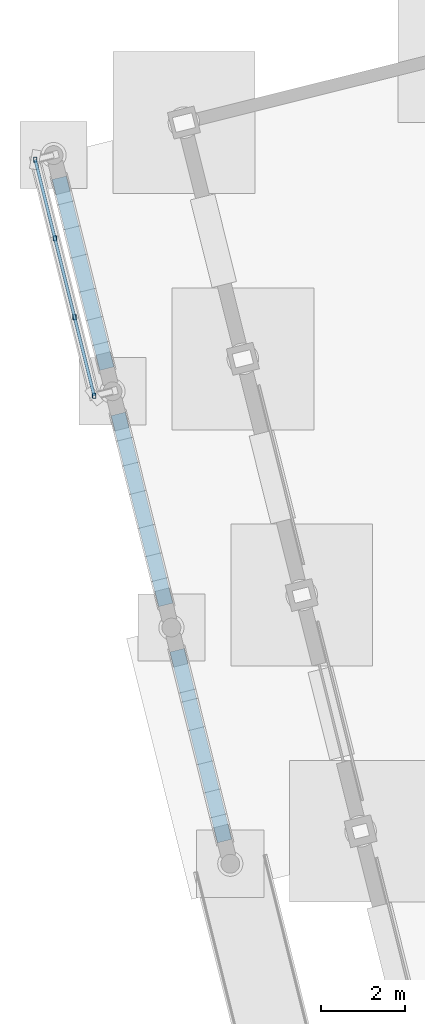
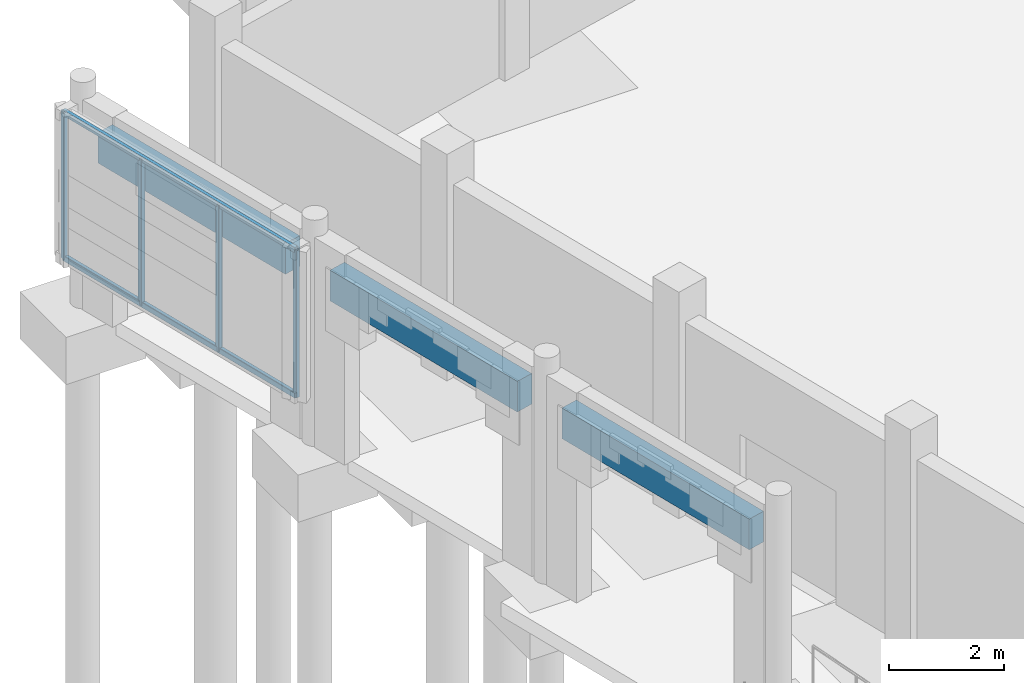
# One storey, part 10 of 72: 6 members, 3 beams.
"""IFC4 building model written with IfcOpenShell, lengths in metres."""

from ifc_helpers import new_model, si_unit, direction, frame, origin, origin_2d, place, context, subcontext, project, spatial, rectangle, hollow_rectangle, extrude, material, material_profile, profile_set, type_object, element, save


model = new_model("IFC4")

# Units and contexts
model_context = context("Model", 3, precision=1e-05, world=origin(), true_north=direction((0.0, 1.0)))
body_context = subcontext(model_context, "Body", "Model", "MODEL_VIEW")
ifc_project = project(units=[si_unit("LENGTHUNIT", "METRE"), si_unit("AREAUNIT", "SQUARE_METRE"), si_unit("VOLUMEUNIT", "CUBIC_METRE"), si_unit("PLANEANGLEUNIT", "RADIAN"), si_unit("MASSUNIT", "GRAM", prefix="KILO")], contexts=[model_context])

# Site, building, storey
site_placement = place(None, origin())
site = spatial("IfcSite", under=ifc_project, at=site_placement, CompositionType="ELEMENT")
building_placement = place(site_placement, origin())
building = spatial("IfcBuilding", under=site, at=building_placement, Name="Cinderway Yard Community Centre", CompositionType="ELEMENT")
storey_placement = place(building_placement, origin())
storey = spatial("IfcBuildingStorey", under=building, at=storey_placement, Name="L00", CompositionType="ELEMENT", Elevation=0.0)

# Members
ifc_material_1 = material(Name="Steel S355", Category="steel")
ifc_material_profile_1 = material_profile(ifc_material_1, hollow_rectangle(XDim=0.080078125, YDim=0.1201171875, WallThickness=0.00634765625, InnerFilletRadius=0.00634765625, OuterFilletRadius=0.0126953125, at=origin_2d()), Name="Steel S355")
ifc_profile_set_1 = profile_set([ifc_material_profile_1], Name="Steel S355")
member_type = type_object("IfcMemberType", Name="ENV-MEM-SCREEN-RAIL-120", PredefinedType="STRINGER", material=ifc_profile_set_1)
for number, where, z_axis, x_axis, name in (
    (1, (7.84912109375, 58.0, 1.159912109375), (-0.242060225261, 0.970261226344, 0.0), (-0.970261226344, -0.242060225261, 0.0), "Screen support rail 1120-BOT"),
    (2, (7.84912109375, 58.0, 4.239990234375), (-0.242060225261, 0.970261226344, 0.0), (-0.970261226344, -0.242060225261, 0.0), "Screen support rail 1121-TOP"),
):
    element("IfcMember", number, at=place(storey_placement, frame(where, z_axis=z_axis, x_axis=x_axis)), inside=storey, type_object=member_type, Name=name, PredefinedType="STRINGER", context=body_context, shape_type="SweptSolid", body=[
        extrude(hollow_rectangle(XDim=0.080078125, YDim=0.1201171875, WallThickness=0.00634765625, InnerFilletRadius=0.00634765625, OuterFilletRadius=0.0126953125, at=origin_2d()), origin(), (0.0, 0.0, 1.0), 5.800537109375),
    ])
for number, where, z_axis, x_axis, name in (
    (3, (7.84912109375, 58.0, 1.139892578125), (0.0, 0.0, 1.0), (1.0, 0.0, 0.0), "Screen vertical mullion 1122"),
    (4, (7.381103515625, 59.8759765625, 1.139892578125), (0.0, 0.0, 1.0), (1.0, 0.0, 0.0), "Screen vertical mullion 1123"),
    (5, (6.9130859375, 61.751953125, 1.139892578125), (0.0, 0.0, 1.0), (1.0, 0.0, 0.0), "Screen vertical mullion 1124"),
    (6, (6.445068359375, 63.6279296875, 1.139892578125), (0.0, 0.0, 1.0), (1.0, 0.0, 0.0), "Screen vertical mullion 1125"),
):
    element("IfcMember", number, at=place(storey_placement, frame(where, z_axis=z_axis, x_axis=x_axis)), inside=storey, type_object=member_type, Name=name, PredefinedType="STRINGER", context=body_context, shape_type="SweptSolid", body=[
        extrude(hollow_rectangle(XDim=0.080078125, YDim=0.1201171875, WallThickness=0.00634765625, InnerFilletRadius=0.00634765625, OuterFilletRadius=0.0126953125, at=origin_2d()), origin(), (0.0, 0.0, 1.0), 3.1201171875),
    ])

# Beams
ifc_material_2 = material(Name="Concrete C35/45", Category="concrete")
ifc_material_profile_2 = material_profile(ifc_material_2, rectangle(XDim=0.35009765625, YDim=0.64990234375, at=origin_2d()), Name="Concrete C35/45")
ifc_profile_set_2 = profile_set([ifc_material_profile_2], Name="Concrete C35/45")
beam_type = type_object("IfcBeamType", Name="STR-BM-RC350X650", PredefinedType="BEAM", material=ifc_profile_set_2)
beam_1_placement = place(storey_placement, frame((10.95703125, 47.39404296875, 3.625), z_axis=(-0.241800014009, 0.970326106639, 0.0), x_axis=(-0.970326106639, -0.241800014009, 0.0)))
element("IfcBeam", 7, at=beam_1_placement, inside=storey, type_object=beam_type, Name="Main Hall Rail Forecourt South Arch Niche Lintel 04", PredefinedType="BEAM", context=body_context, shape_type="SweptSolid", body=[
    extrude(rectangle(XDim=0.35009765625, YDim=0.64990234375, at=origin_2d()), origin(), (0.0, 0.0, 1.0), 4.68603515625),
])
beam_2_placement = place(storey_placement, frame((9.553955078125, 53.02099609375, 3.625), z_axis=(-0.241738908209, 0.97034133183, 0.0), x_axis=(-0.97034133183, -0.241738908209, 0.0)))
element("IfcBeam", 8, at=beam_2_placement, inside=storey, type_object=beam_type, Name="Main Hall Rail Forecourt Central Arch Niche Lintel 05", PredefinedType="BEAM", context=body_context, shape_type="SweptSolid", body=[
    extrude(rectangle(XDim=0.35009765625, YDim=0.64990234375, at=origin_2d()), origin(), (0.0, 0.0, 1.0), 4.68701171875),
])
beam_3_placement = place(storey_placement, frame((8.15087890625, 58.64892578125, 3.625), z_axis=(-0.241886031249, 0.970304667559, 0.0), x_axis=(-0.970304667559, -0.241886031249, 0.0)))
element("IfcBeam", 9, at=beam_3_placement, inside=storey, type_object=beam_type, Name="Main Hall Rail Forecourt North Arch Niche Lintel 06", PredefinedType="BEAM", context=body_context, shape_type="SweptSolid", body=[
    extrude(rectangle(XDim=0.35009765625, YDim=0.64990234375, at=origin_2d()), origin(), (0.0, 0.0, 1.0), 4.687255859375),
])

save(model, "model.ifc")
